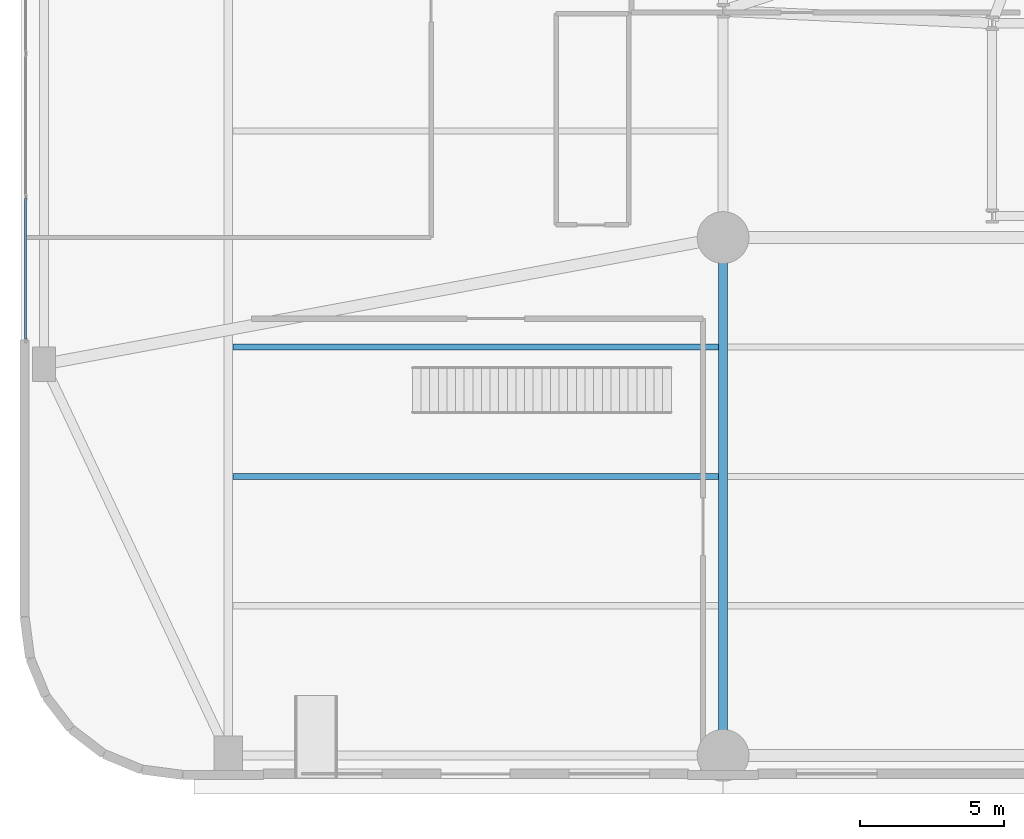
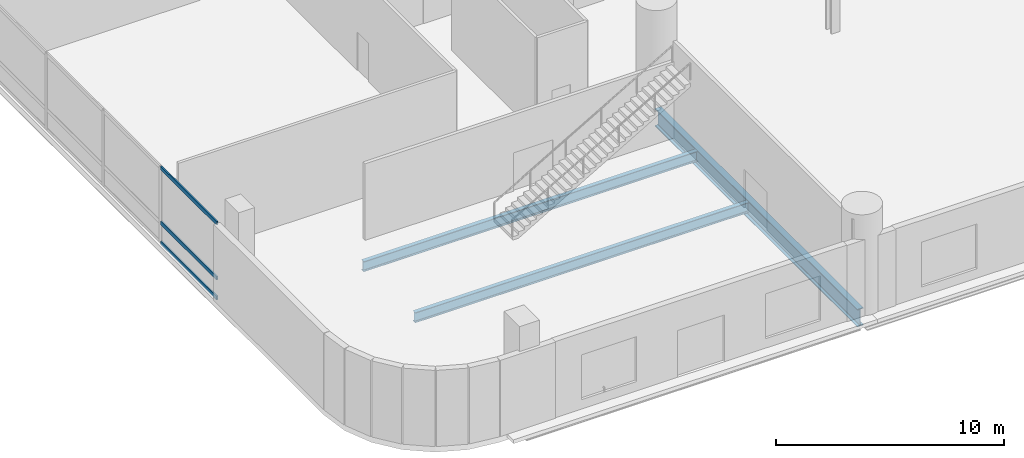
# One storey, part 3 of 26: 3 beams, 3 members, 1 element without a shape of its own.
"""IFC4 building model written with IfcOpenShell, lengths in metres."""

import ifcopenshell
import ifcopenshell.guid

model = None  # the IFC model being written
_history = None  # IfcOwnerHistory: only IFC2X3 demands one
_inside = {}  # id of a spatial element -> (the spatial element, [elements in it])
_under = {}  # id of a project, library or spatial element -> (it, [spatial elements below it])
_declared = {}  # id of a project -> (the project, [libraries it declares])
_typed = {}  # id of a type object -> (the type object, [elements of that type])
_made_of = {}  # id of a material, layer set ... -> (it, [elements and type objects made of it])


def new_model(schema):
    """Start an empty IFC model of exactly this schema.

    Asked for "IFC4X3", IfcOpenShell would pick the latest addendum, in which some entities
    have other attributes; the version numbers below select the first issue.
    IFC2X3 requires an IfcOwnerHistory on every rooted entity: one is made here for all.
    """
    global model, _history
    if schema == "IFC4X3":
        model = ifcopenshell.file(schema_version=(4, 3, 0, 0))
    else:
        model = ifcopenshell.file(schema=schema)
    _inside.clear()
    _under.clear()
    _declared.clear()
    _typed.clear()
    _made_of.clear()
    _history = None
    if model.schema == "IFC2X3":
        org = make("IfcOrganization", Name="unknown")
        user = make(
            "IfcPersonAndOrganization",
            ThePerson=make("IfcPerson", FamilyName="unknown"),
            TheOrganization=org,
        )
        app = make(
            "IfcApplication",
            ApplicationDeveloper=org,
            Version="unknown",
            ApplicationFullName="unknown",
            ApplicationIdentifier="unknown",
        )
        _history = make(
            "IfcOwnerHistory",
            OwningUser=user,
            OwningApplication=app,
            ChangeAction="ADDED",
            CreationDate=0,
        )
    return model


def make(cls, **values):
    """One entity of the class cls with the attributes given. An attribute that is None is left unset."""
    return model.create_entity(
        cls, **{name: value for name, value in values.items() if value is not None}
    )


def rooted(cls, **values):
    """An entity with a GlobalId (a new one), such as an element, a storey or a relation."""
    return make(cls, GlobalId=ifcopenshell.guid.new(), OwnerHistory=_history, **values)


def si_unit(unit_type, name, prefix=None):
    """IfcSIUnit, for example si_unit("LENGTHUNIT", "METRE", prefix="MILLI")."""
    return make("IfcSIUnit", UnitType=unit_type, Prefix=prefix, Name=name)


def assignment(units):
    """IfcUnitAssignment: the units of a project."""
    return None if units is None else make("IfcUnitAssignment", Units=units)


def point(xyz):
    """IfcCartesianPoint."""
    return None if xyz is None else make("IfcCartesianPoint", Coordinates=xyz)


def direction(xyz):
    """IfcDirection."""
    return None if xyz is None else make("IfcDirection", DirectionRatios=xyz)


def frame(location, z_axis=None, x_axis=None):
    """IfcAxis2Placement3D, a coordinate frame: its origin and axes. An axis left out is left unset."""
    return make(
        "IfcAxis2Placement3D",
        Location=point(location),
        Axis=direction(z_axis),
        RefDirection=direction(x_axis),
    )


def frame_2d(location, x_axis=None):
    """IfcAxis2Placement2D, a coordinate frame in the plane: its origin and x axis."""
    return make(
        "IfcAxis2Placement2D", Location=point(location), RefDirection=direction(x_axis)
    )


def origin():
    """The frame at (0, 0, 0) with its axes left unset."""
    return frame((0.0, 0.0, 0.0))


def origin_2d():
    """The frame at (0, 0) in the plane with its x axis left unset."""
    return frame_2d((0.0, 0.0))


def place(relative_to, where):
    """IfcLocalPlacement: puts the frame where relative to a parent placement (None: the world)."""
    return make(
        "IfcLocalPlacement", PlacementRelTo=relative_to, RelativePlacement=where
    )


def context(
    kind, dimensions, precision=None, world=None, true_north=None, identifier=None
):
    """IfcGeometricRepresentationContext, for example the 3D "Model" context."""
    return make(
        "IfcGeometricRepresentationContext",
        ContextIdentifier=identifier,
        ContextType=kind,
        CoordinateSpaceDimension=dimensions,
        Precision=precision,
        WorldCoordinateSystem=world,
        TrueNorth=true_north,
    )


def subcontext(parent, identifier, kind, view, scale=None):
    """IfcGeometricRepresentationSubContext, for example "Body" below "Model"."""
    return make(
        "IfcGeometricRepresentationSubContext",
        ContextIdentifier=identifier,
        ContextType=kind,
        ParentContext=parent,
        TargetScale=scale,
        TargetView=view,
    )


def project(units=None, contexts=None):
    """IfcProject with its units and contexts."""
    return rooted(
        "IfcProject",
        Name="project",
        RepresentationContexts=contexts,
        UnitsInContext=assignment(units),
    )


def spatial(cls, under=None, at=None, **own):
    """A site, building, storey or space (cls), placed at a placement, below another one or the project."""
    s = rooted(cls, ObjectPlacement=at, **own)
    if under is not None:
        _under.setdefault(under.id(), (under, []))[1].append(s)
    return s


def profile(cls, at=None, kind="AREA", **sizes):
    """A parametric profile (cls). Its sizes go by their IFC names, for example OverallWidth=200.0."""
    return make(cls, ProfileType=kind, Position=at, **sizes)


def hollow_rectangle(**sizes):
    """IfcRectangleHollowProfileDef."""
    return profile("IfcRectangleHollowProfileDef", **sizes)


def i_section(**sizes):
    """IfcIShapeProfileDef."""
    return profile("IfcIShapeProfileDef", **sizes)


def extrude(swept, where, along, depth):
    """IfcExtrudedAreaSolid: the profile swept, set in the frame where, extruded along a direction by depth."""
    return make(
        "IfcExtrudedAreaSolid",
        SweptArea=swept,
        Position=where,
        ExtrudedDirection=direction(along),
        Depth=depth,
    )


def shape(context_of_items, identifier, shape_type, items):
    """IfcShapeRepresentation: the items that make up one representation, for example the "Body"."""
    return make(
        "IfcShapeRepresentation",
        ContextOfItems=context_of_items,
        RepresentationIdentifier=identifier,
        RepresentationType=shape_type,
        Items=items,
    )


def material(Name=None, Category=None):
    """IfcMaterial."""
    return make("IfcMaterial", Name=Name, Category=Category)


def layer(
    of_material, thickness, ventilated=None, Name=None, Category=None, Priority=None
):
    """IfcMaterialLayer: one layer of a wall or slab, of a material (None: an air gap)."""
    return make(
        "IfcMaterialLayer",
        Material=of_material,
        LayerThickness=thickness,
        IsVentilated=ventilated,
        Name=Name,
        Category=Category,
        Priority=Priority,
    )


def layer_set(layers, Name=None):
    """IfcMaterialLayerSet."""
    return make("IfcMaterialLayerSet", MaterialLayers=layers, LayerSetName=Name)


def material_profile(
    of_material, cross_section, Name=None, Category=None, Priority=None
):
    """IfcMaterialProfile: a cross section and its material."""
    return make(
        "IfcMaterialProfile",
        Name=Name,
        Material=of_material,
        Profile=cross_section,
        Priority=Priority,
        Category=Category,
    )


def profile_set(profiles, Name=None, composite=None):
    """IfcMaterialProfileSet."""
    return make(
        "IfcMaterialProfileSet",
        Name=Name,
        MaterialProfiles=profiles,
        CompositeProfile=composite,
    )


def made_of(thing, what):
    """Note that an element or type object is made of a material, layer set ...; save() writes the relation."""
    if what is not None:
        _made_of.setdefault(what.id(), (what, []))[1].append(thing)
    return thing


def type_object(cls, material=None, **own):
    """A type object (cls), such as IfcWallType, which elements share."""
    return made_of(rooted(cls, **own), material)


def element(
    cls,
    number,
    at=None,
    inside=None,
    cuts=None,
    type_object=None,
    material=None,
    context=None,
    identifier="Body",
    shape_type=None,
    held_by="IfcProductDefinitionShape",
    body=None,
    shapes=None,
    **own,
):
    """One element of the class cls, such as IfcWall. Its Tag is "e" and its number.

    at: its placement. inside: the storey or other place that contains it. cuts: it is an
    opening in that element (IfcRelVoidsElement). A single representation is given by context,
    identifier, shape_type and body (its items); several are given by shapes. held_by: the class
    of the entity that holds the representations. save() writes the other relations.
    """
    e = rooted(cls, Tag="e%d" % number, ObjectPlacement=at, **own)
    if body is not None:
        shapes = [shape(context, identifier, shape_type, body)]
    if shapes is not None:
        e.Representation = make(held_by, Representations=shapes)
    if inside is not None:
        _inside.setdefault(inside.id(), (inside, []))[1].append(e)
    if cuts is not None:
        rooted(
            "IfcRelVoidsElement", RelatingBuildingElement=cuts, RelatedOpeningElement=e
        )
    if type_object is not None:
        _typed.setdefault(type_object.id(), (type_object, []))[1].append(e)
    return made_of(e, material)


def aggregate(whole, parts):
    """IfcRelAggregates: a whole, such as a stair, and the parts it consists of."""
    return rooted("IfcRelAggregates", RelatingObject=whole, RelatedObjects=parts)


def save(model, path):
    """Write the relations noted so far, then the file.

    IfcRelAggregates (storeys below a building ...), IfcRelContainedInSpatialStructure (elements
    in a storey), IfcRelDefinesByType, IfcRelAssociatesMaterial and IfcRelDeclares: one each for
    every whole, place, type object, material and project.
    """
    for whole, parts in _under.values():
        aggregate(whole, parts)
    for where, things in _inside.values():
        rooted(
            "IfcRelContainedInSpatialStructure",
            RelatedElements=things,
            RelatingStructure=where,
        )
    for kind, things in _typed.values():
        rooted("IfcRelDefinesByType", RelatedObjects=things, RelatingType=kind)
    for what, things in _made_of.values():
        rooted("IfcRelAssociatesMaterial", RelatedObjects=things, RelatingMaterial=what)
    for by, libraries in _declared.values():
        rooted("IfcRelDeclares", RelatingContext=by, RelatedDefinitions=libraries)
    model.write(path)


model = new_model("IFC4")

# Units and contexts
model_context = context("Model", 3, precision=1e-05, world=origin(), true_north=direction((0.0, 1.0)))
body_context = subcontext(model_context, "Body", "Model", "MODEL_VIEW")
ifc_project = project(units=[si_unit("LENGTHUNIT", "METRE"), si_unit("AREAUNIT", "SQUARE_METRE"), si_unit("VOLUMEUNIT", "CUBIC_METRE"), si_unit("PLANEANGLEUNIT", "RADIAN"), si_unit("MASSUNIT", "GRAM", prefix="KILO")], contexts=[model_context])

# Site, building, storey
site_placement = place(None, origin())
site = spatial("IfcSite", under=ifc_project, at=site_placement, CompositionType="ELEMENT")
building_placement = place(site_placement, origin())
building = spatial("IfcBuilding", under=site, at=building_placement, Name="Varnelok Gate Tower", CompositionType="ELEMENT")
storey_placement = place(building_placement, origin())
storey = spatial("IfcBuildingStorey", under=building, at=storey_placement, Name="L00", CompositionType="ELEMENT", Elevation=0.0)

# Beams
ifc_material_1 = material(Name="Structural Steel ASTM A992 Grade 50", Category="steel")
ifc_material_profile_1 = material_profile(ifc_material_1, i_section(OverallWidth=0.2119140625, OverallDepth=0.5439453125, WebThickness=0.01318359375, FlangeThickness=0.021240234375, FilletRadius=0.01611328125, at=origin_2d()), Name="W21X83")
ifc_profile_set_1 = profile_set([ifc_material_profile_1], Name="Structural Steel ASTM A992 Grade 50")
beam_type_1 = type_object("IfcBeamType", Name="BM-JST-W21X83", PredefinedType="JOIST", material=ifc_profile_set_1)
for number, where, z_axis, x_axis, name in (
    (1, (7.360107421875, 10.5, -0.592041015625), (1.0, 0.0, 0.0), (0.0, 1.0, 0.0), "L00 Podium Floor Joist"),
    (2, (7.360107421875, 15.0, -0.592041015625), (1.0, 0.0, 0.0), (0.0, 1.0, 0.0), "L00 Podium Floor Joist"),
):
    element("IfcBeam", number, at=place(storey_placement, frame(where, z_axis=z_axis, x_axis=x_axis)), inside=storey, type_object=beam_type_1, Name=name, PredefinedType="JOIST", context=body_context, shape_type="SweptSolid", body=[
        extrude(i_section(OverallWidth=0.2119140625, OverallDepth=0.5439453125, WebThickness=0.01318359375, FlangeThickness=0.021240234375, FilletRadius=0.01611328125, at=origin_2d()), origin(), (0.0, 0.0, 1.0), 16.8798828125),
    ])
ifc_material_profile_2 = material_profile(ifc_material_1, i_section(OverallWidth=0.30810546875, OverallDepth=0.943115234375, WebThickness=0.022216796875, FlangeThickness=0.039794921875, FilletRadius=0.02587890625, at=origin_2d()), Name="W36X232")
ifc_profile_set_2 = profile_set([ifc_material_profile_2], Name="Structural Steel ASTM A992 Grade 50")
beam_type_2 = type_object("IfcBeamType", Name="BM-PRI-W36X232", PredefinedType="BEAM", material=ifc_profile_set_2)
beam_placement = place(storey_placement, frame((24.39990234375, 0.93994140625, -0.79150390625), z_axis=(0.0, 1.0, 0.0), x_axis=(-1.0, 0.0, 0.0)))
element("IfcBeam", 3, at=beam_placement, inside=storey, type_object=beam_type_2, Name="L00 Podium Primary Girder 12", PredefinedType="BEAM", context=body_context, shape_type="SweptSolid", body=[
    extrude(i_section(OverallWidth=0.30810546875, OverallDepth=0.943115234375, WebThickness=0.022216796875, FlangeThickness=0.039794921875, FilletRadius=0.02587890625, at=origin_2d()), origin(), (0.0, 0.0, 1.0), 17.719970703125),
])

# Curtain wall, members
ifc_material_2 = material(Name="Anodized Aluminum Alloy 6063-T6", Category="aluminium")
ifc_layer = layer(ifc_material_2, 0.179931640625)
ifc_layer_set = layer_set([ifc_layer], Name="Anodized Aluminum Alloy 6063-T6")
curtain_wall_type = type_object("IfcCurtainWallType", Name="CW1-ARCH-PORTAL", PredefinedType="USERDEFINED", material=ifc_layer_set)
curtain_wall_placement = place(storey_placement, origin())
curtain_wall = element("IfcCurtainWall", 4, at=curtain_wall_placement, inside=storey, type_object=curtain_wall_type, Name="L00 Podium Portal Curtain Wall W", ObjectType="UNITISED CURTAIN WALL", PredefinedType="USERDEFINED")
ifc_material_profile_3 = material_profile(ifc_material_2, hollow_rectangle(XDim=0.074951171875, YDim=0.199951171875, WallThickness=0.00390625, at=origin_2d()), Name="ALU200X75X4")
ifc_profile_set_3 = profile_set([ifc_material_profile_3], Name="Anodized Aluminum Alloy 6063-T6")
member_type = type_object("IfcMemberType", Name="CW-TRAN-200", PredefinedType="USERDEFINED", material=ifc_profile_set_3)
member_1_placement = place(storey_placement, frame((0.159912109375, 15.27490234375, 0.03759765625), z_axis=(0.0, 1.0, 0.0), x_axis=(-1.0, 0.0, 0.0)))
member_1 = element("IfcMember", 5, at=member_1_placement, type_object=member_type, Name="CW1 transom 1.1", ObjectType="TRANSOM", PredefinedType="USERDEFINED", context=body_context, shape_type="SweptSolid", body=[
    extrude(hollow_rectangle(XDim=0.074951171875, YDim=0.199951171875, WallThickness=0.00390625, at=origin_2d()), origin(), (0.0, 0.0, 1.0), 4.8876953125),
])
member_2_placement = place(storey_placement, frame((0.159912109375, 15.27490234375, 1.10009765625), z_axis=(0.0, 1.0, 0.0), x_axis=(-1.0, 0.0, 0.0)))
member_2 = element("IfcMember", 6, at=member_2_placement, type_object=member_type, Name="CW1 transom 1.2", ObjectType="TRANSOM", PredefinedType="USERDEFINED", context=body_context, shape_type="SweptSolid", body=[
    extrude(hollow_rectangle(XDim=0.074951171875, YDim=0.199951171875, WallThickness=0.00390625, at=origin_2d()), origin(), (0.0, 0.0, 1.0), 4.8876953125),
])
member_3_placement = place(storey_placement, frame((0.159912109375, 15.27490234375, 4.032470703125), z_axis=(0.0, 1.0, 0.0), x_axis=(-1.0, 0.0, 0.0)))
member_3 = element("IfcMember", 7, at=member_3_placement, type_object=member_type, Name="CW1 transom 1.3", ObjectType="TRANSOM", PredefinedType="USERDEFINED", context=body_context, shape_type="SweptSolid", body=[
    extrude(hollow_rectangle(XDim=0.074951171875, YDim=0.199951171875, WallThickness=0.00390625, at=origin_2d()), origin(), (0.0, 0.0, 1.0), 4.8876953125),
])
aggregate(curtain_wall, [member_1, member_2, member_3])

save(model, "model.ifc")
